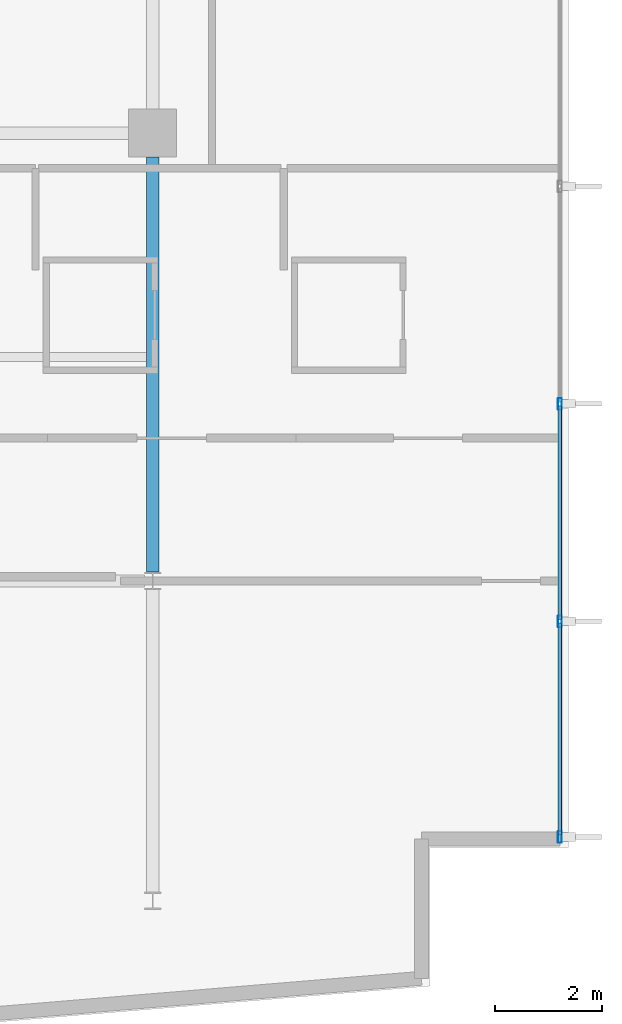
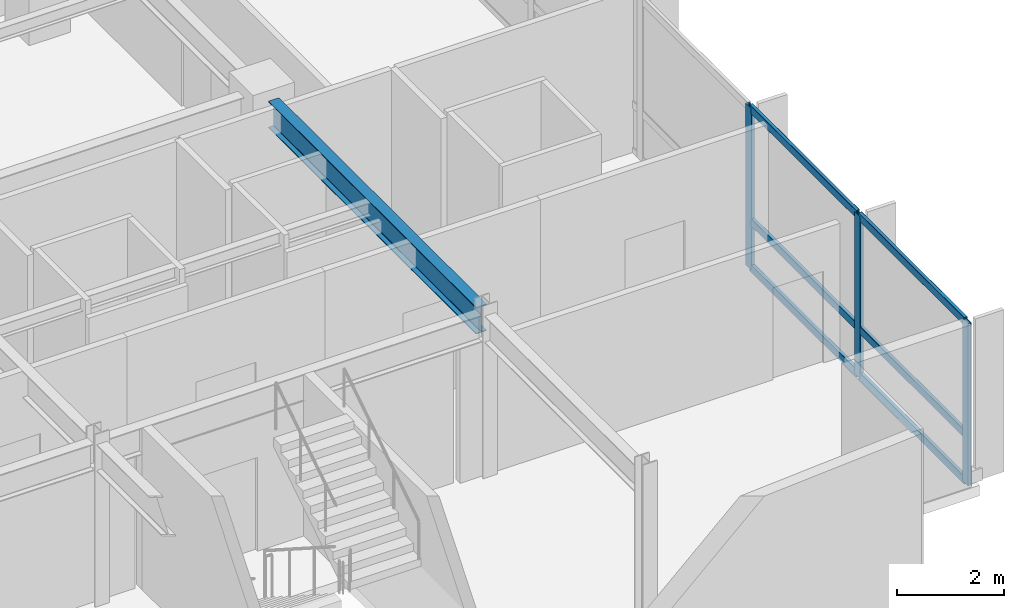
# One storey, part 5 of 20: 9 members, 1 beam, 1 element without a shape of its own.
"""IFC4 building model written with IfcOpenShell, lengths in metres."""

from ifc_helpers import new_model, si_unit, direction, frame, origin, origin_2d, place, context, subcontext, project, spatial, hollow_rectangle, i_section, extrude, material, layer, layer_set, material_profile, profile_set, type_object, element, aggregate, save


model = new_model("IFC4")

# Units and contexts
model_context = context("Model", 3, precision=1e-05, world=origin(), true_north=direction((0.0, 1.0)))
body_context = subcontext(model_context, "Body", "Model", "MODEL_VIEW")
ifc_project = project(units=[si_unit("LENGTHUNIT", "METRE"), si_unit("AREAUNIT", "SQUARE_METRE"), si_unit("VOLUMEUNIT", "CUBIC_METRE"), si_unit("PLANEANGLEUNIT", "RADIAN"), si_unit("MASSUNIT", "GRAM", prefix="KILO")], contexts=[model_context])

# Site, building, storey
site_placement = place(None, origin())
site = spatial("IfcSite", under=ifc_project, at=site_placement, CompositionType="ELEMENT")
building_placement = place(site_placement, origin())
building = spatial("IfcBuilding", under=site, at=building_placement, Name="Varnakote Quay Hospital", CompositionType="ELEMENT")
storey_placement = place(building_placement, frame((0.0, 0.0, 81.75)))
storey = spatial("IfcBuildingStorey", under=building, at=storey_placement, Name="L20", CompositionType="ELEMENT", Elevation=81.75)

# Beam
ifc_material_1 = material(Name="Structural steel AS/NZS 3679.1 Grade 350 L0 (fy 340 MPa)", Category="steel")
ifc_material_profile_1 = material_profile(ifc_material_1, i_section(OverallWidth=0.22900390625, OverallDepth=0.612060546875, WebThickness=0.011962890625, FlangeThickness=0.01953125, FilletRadius=0.013916015625, at=origin_2d()), Name="610UB125")
ifc_profile_set_1 = profile_set([ifc_material_profile_1], Name="Structural steel AS/NZS 3679.1 Grade 350 L0 (fy 340 MPa)")
beam_type = type_object("IfcBeamType", Name="BM-STL-610UB125", PredefinedType="BEAM", material=ifc_profile_set_1)
beam_placement = place(storey_placement, frame((50.39990234375, 12.16357421875, 3.404052734375), z_axis=(0.0, 1.0, 0.0), x_axis=(-1.0, 0.0, 0.0)))
element("IfcBeam", 1, at=beam_placement, inside=storey, type_object=beam_type, Name="L20 Primary Tie Beam", PredefinedType="BEAM", context=body_context, shape_type="SweptSolid", body=[
    extrude(i_section(OverallWidth=0.22900390625, OverallDepth=0.612060546875, WebThickness=0.011962890625, FlangeThickness=0.01953125, FilletRadius=0.013916015625, at=origin_2d()), origin(), (0.0, 0.0, 1.0), 7.786376953125),
])

# Curtain wall, members
ifc_material_2 = material(Name="Anodised aluminium 6063-T6 Bronze", Category="aluminium")
ifc_layer = layer(ifc_material_2, 0.18994140625)
ifc_layer_set = layer_set([ifc_layer], Name="Anodised aluminium 6063-T6 Bronze")
curtain_wall_type = type_object("IfcCurtainWallType", Name="CW-SYS-2", PredefinedType="NOTDEFINED", material=ifc_layer_set)
curtain_wall_placement = place(storey_placement, origin())
curtain_wall = element("IfcCurtainWall", 2, at=curtain_wall_placement, inside=storey, type_object=curtain_wall_type, Name="L20 Unitised Bronze Curtain Wall 1", PredefinedType="NOTDEFINED")
ifc_material_3 = material(Name="Anodised aluminium 6063-T6 Bronze", Category="aluminium")
ifc_material_profile_2 = material_profile(ifc_material_3, hollow_rectangle(XDim=0.074951171875, YDim=0.219970703125, WallThickness=0.00439453125, InnerFilletRadius=0.00439453125, OuterFilletRadius=0.009033203125, at=origin_2d()), Name="CW-MULL-220x75")
ifc_profile_set_2 = profile_set([ifc_material_profile_2], Name="Anodised aluminium 6063-T6 Bronze")
member_type_1 = type_object("IfcMemberType", Name="CW-MULL-220x75", PredefinedType="MULLION", material=ifc_profile_set_2)
member_1_placement = place(storey_placement, frame((58.0400390625, 7.197509765625, 0.0), z_axis=(0.0, 0.0, 1.0), x_axis=(-1.0, 0.0, 0.0)))
member_1 = element("IfcMember", 3, at=member_1_placement, type_object=member_type_1, Name="-2-L20-1 mullion 1", PredefinedType="MULLION", context=body_context, shape_type="SweptSolid", body=[
    extrude(hollow_rectangle(XDim=0.074951171875, YDim=0.219970703125, WallThickness=0.00439453125, InnerFilletRadius=0.00439453125, OuterFilletRadius=0.009033203125, at=origin_2d()), origin(), (0.0, 0.0, 1.0), 3.7099609375),
])
member_2_placement = place(storey_placement, frame((58.0400390625, 11.239990234375, 0.0), z_axis=(0.0, 0.0, 1.0), x_axis=(-1.0, 0.0, 0.0)))
member_2 = element("IfcMember", 4, at=member_2_placement, type_object=member_type_1, Name="-2-L20-1 mullion 2", PredefinedType="MULLION", context=body_context, shape_type="SweptSolid", body=[
    extrude(hollow_rectangle(XDim=0.074951171875, YDim=0.219970703125, WallThickness=0.00439453125, InnerFilletRadius=0.00439453125, OuterFilletRadius=0.009033203125, at=origin_2d()), origin(), (0.0, 0.0, 1.0), 3.7099609375),
])
member_3_placement = place(storey_placement, frame((58.0400390625, 15.320068359375, 0.0), z_axis=(0.0, 0.0, 1.0), x_axis=(-1.0, 0.0, 0.0)))
member_3 = element("IfcMember", 5, at=member_3_placement, type_object=member_type_1, Name="-2-L20-1 mullion 3", PredefinedType="MULLION", context=body_context, shape_type="SweptSolid", body=[
    extrude(hollow_rectangle(XDim=0.074951171875, YDim=0.219970703125, WallThickness=0.00439453125, InnerFilletRadius=0.00439453125, OuterFilletRadius=0.009033203125, at=origin_2d()), origin(), (0.0, 0.0, 1.0), 3.7099609375),
])
ifc_material_4 = material(Name="Anodised aluminium 6063-T6 Bronze", Category="aluminium")
ifc_material_profile_3 = material_profile(ifc_material_4, hollow_rectangle(XDim=0.074951171875, YDim=0.179931640625, WallThickness=0.004150390625, InnerFilletRadius=0.004150390625, OuterFilletRadius=0.00830078125, at=origin_2d()), Name="CW-TRAN-180x75")
ifc_profile_set_3 = profile_set([ifc_material_profile_3], Name="Anodised aluminium 6063-T6 Bronze")
member_type_2 = type_object("IfcMemberType", Name="CW-TRAN-180x75", PredefinedType="USERDEFINED", material=ifc_profile_set_3)
member_4_placement = place(storey_placement, frame((58.0400390625, 7.235107421875, 0.03759765625), z_axis=(0.0, 1.0, 0.0), x_axis=(-1.0, 0.0, 0.0)))
member_4 = element("IfcMember", 6, at=member_4_placement, type_object=member_type_2, Name="-2-L20-1 transom 1.1", ObjectType="TRANSOM", PredefinedType="USERDEFINED", context=body_context, shape_type="SweptSolid", body=[
    extrude(hollow_rectangle(XDim=0.074951171875, YDim=0.179931640625, WallThickness=0.004150390625, InnerFilletRadius=0.004150390625, OuterFilletRadius=0.00830078125, at=origin_2d()), origin(), (0.0, 0.0, 1.0), 3.96728515625),
])
member_5_placement = place(storey_placement, frame((58.0400390625, 7.235107421875, 1.10009765625), z_axis=(0.0, 1.0, 0.0), x_axis=(-1.0, 0.0, 0.0)))
member_5 = element("IfcMember", 7, at=member_5_placement, type_object=member_type_2, Name="-2-L20-1 transom 1.2", ObjectType="TRANSOM", PredefinedType="USERDEFINED", context=body_context, shape_type="SweptSolid", body=[
    extrude(hollow_rectangle(XDim=0.074951171875, YDim=0.179931640625, WallThickness=0.004150390625, InnerFilletRadius=0.004150390625, OuterFilletRadius=0.00830078125, at=origin_2d()), origin(), (0.0, 0.0, 1.0), 3.96728515625),
])
member_6_placement = place(storey_placement, frame((58.0400390625, 7.235107421875, 3.672607421875), z_axis=(0.0, 1.0, 0.0), x_axis=(-1.0, 0.0, 0.0)))
member_6 = element("IfcMember", 8, at=member_6_placement, type_object=member_type_2, Name="-2-L20-1 transom 1.3", ObjectType="TRANSOM", PredefinedType="USERDEFINED", context=body_context, shape_type="SweptSolid", body=[
    extrude(hollow_rectangle(XDim=0.074951171875, YDim=0.179931640625, WallThickness=0.004150390625, InnerFilletRadius=0.004150390625, OuterFilletRadius=0.00830078125, at=origin_2d()), origin(), (0.0, 0.0, 1.0), 3.96728515625),
])
member_7_placement = place(storey_placement, frame((58.0400390625, 11.277587890625, 0.03759765625), z_axis=(0.0, 1.0, 0.0), x_axis=(-1.0, 0.0, 0.0)))
member_7 = element("IfcMember", 9, at=member_7_placement, type_object=member_type_2, Name="-2-L20-1 transom 2.1", ObjectType="TRANSOM", PredefinedType="USERDEFINED", context=body_context, shape_type="SweptSolid", body=[
    extrude(hollow_rectangle(XDim=0.074951171875, YDim=0.179931640625, WallThickness=0.004150390625, InnerFilletRadius=0.004150390625, OuterFilletRadius=0.00830078125, at=origin_2d()), origin(), (0.0, 0.0, 1.0), 4.0048828125),
])
member_8_placement = place(storey_placement, frame((58.0400390625, 11.277587890625, 1.10009765625), z_axis=(0.0, 1.0, 0.0), x_axis=(-1.0, 0.0, 0.0)))
member_8 = element("IfcMember", 10, at=member_8_placement, type_object=member_type_2, Name="-2-L20-1 transom 2.2", ObjectType="TRANSOM", PredefinedType="USERDEFINED", context=body_context, shape_type="SweptSolid", body=[
    extrude(hollow_rectangle(XDim=0.074951171875, YDim=0.179931640625, WallThickness=0.004150390625, InnerFilletRadius=0.004150390625, OuterFilletRadius=0.00830078125, at=origin_2d()), origin(), (0.0, 0.0, 1.0), 4.0048828125),
])
member_9_placement = place(storey_placement, frame((58.0400390625, 11.277587890625, 3.672607421875), z_axis=(0.0, 1.0, 0.0), x_axis=(-1.0, 0.0, 0.0)))
member_9 = element("IfcMember", 11, at=member_9_placement, type_object=member_type_2, Name="-2-L20-1 transom 2.3", ObjectType="TRANSOM", PredefinedType="USERDEFINED", context=body_context, shape_type="SweptSolid", body=[
    extrude(hollow_rectangle(XDim=0.074951171875, YDim=0.179931640625, WallThickness=0.004150390625, InnerFilletRadius=0.004150390625, OuterFilletRadius=0.00830078125, at=origin_2d()), origin(), (0.0, 0.0, 1.0), 4.0048828125),
])
aggregate(curtain_wall, [member_1, member_2, member_3, member_4, member_5, member_6, member_7, member_8, member_9])

save(model, "model.ifc")
